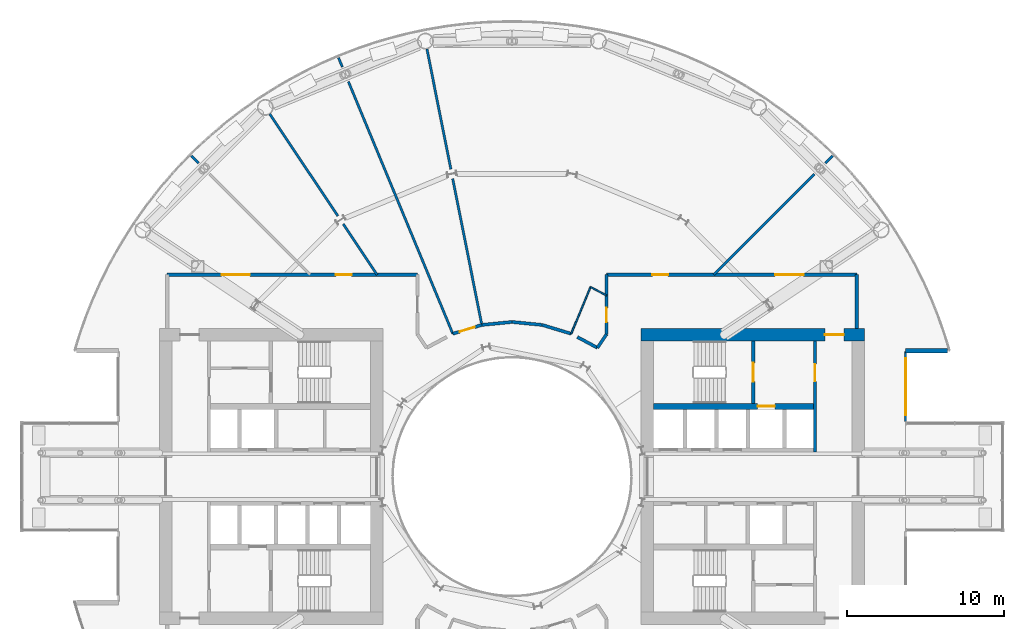
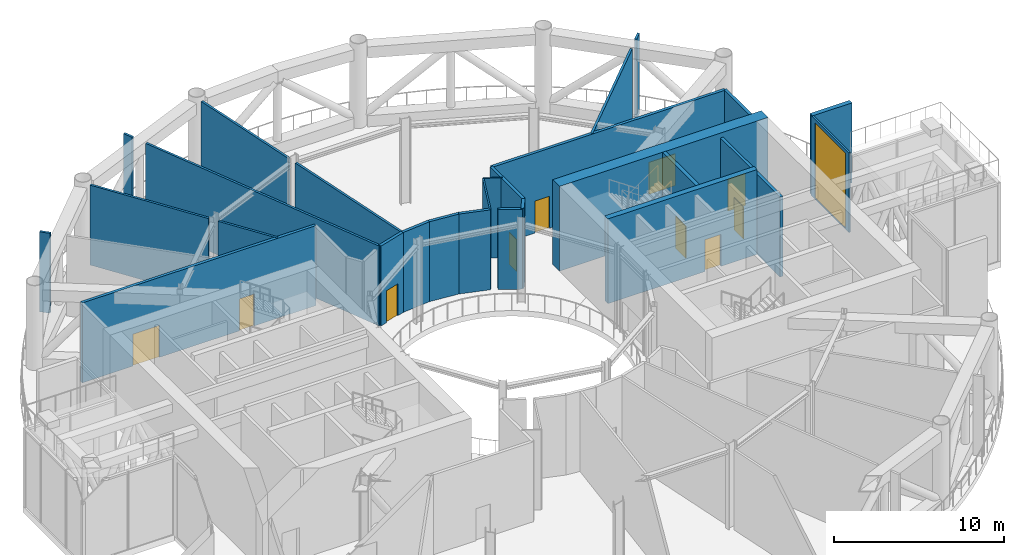
# One storey, part 13 of 22: 27 walls, 10 doors, 1 window, 11 openings.
"""IFC4 building model written with IfcOpenShell, lengths in metres."""

from ifc_helpers import new_model, si_unit, direction, frame, frame_2d, origin, place, context, subcontext, project, spatial, rectangle, extrude, material, layer, layer_set, type_object, element, fill, save


model = new_model("IFC4")

# Units and contexts
model_context = context("Model", 3, precision=1e-05, world=origin(), true_north=direction((0.0, 1.0)))
body_context = subcontext(model_context, "Body", "Model", "MODEL_VIEW")
ifc_project = project(units=[si_unit("LENGTHUNIT", "METRE"), si_unit("AREAUNIT", "SQUARE_METRE"), si_unit("VOLUMEUNIT", "CUBIC_METRE"), si_unit("PLANEANGLEUNIT", "RADIAN"), si_unit("MASSUNIT", "GRAM", prefix="KILO")], contexts=[model_context])

# Site, building, storey
site_placement = place(None, origin())
site = spatial("IfcSite", under=ifc_project, at=site_placement, CompositionType="ELEMENT")
building_placement = place(site_placement, origin())
building = spatial("IfcBuilding", under=site, at=building_placement, Name="Maasbend Ring Residences", CompositionType="ELEMENT")
storey_placement = place(building_placement, frame((0.0, 0.0, 57.5)))
storey = spatial("IfcBuildingStorey", under=building, at=storey_placement, Name="L16", CompositionType="ELEMENT", Elevation=57.5)

# Wall, opening, door
ifc_material_1 = material(Name="Concrete C70/85", Category="concrete")
ifc_layer_1 = layer(ifc_material_1, 0.25)
ifc_layer_set_1 = layer_set([ifc_layer_1], Name="Concrete C70/85")
wall_type_1 = type_object("IfcWallType", Name="CORE WALL 250 C70/85", PredefinedType="SHEAR", material=ifc_layer_set_1)
wall_1_placement = place(storey_placement, frame((15.324951171875, 4.64990234375, 0.0), z_axis=(0.0, 0.0, 1.0), x_axis=(0.0, 1.0, 0.0)))
wall_1 = element("IfcWall", 1, at=wall_1_placement, inside=storey, type_object=wall_type_1, Name="L16 core E wall STEN", PredefinedType="SHEAR", context=body_context, shape_type="SweptSolid", body=[
    extrude(rectangle(XDim=3.9501953125, YDim=0.25, at=frame_2d((1.97509765625, 0.0))), origin(), (0.0, 0.0, 1.0), 6.10009765625),
])
opening_1_placement = place(wall_1_placement, frame((1.375, 0.0, 0.0)))
opening_1 = element("IfcOpeningElement", 2, at=opening_1_placement, cuts=wall_1, Name="Opening D-E1610", PredefinedType="OPENING", context=body_context, shape_type="SweptSolid", body=[
    extrude(rectangle(XDim=1.199951171875, YDim=2.300048828125, at=frame_2d((0.60009765625, 1.14990234375))), frame((0.0, 0.135009765625, 0.0), z_axis=(0.0, -1.0, 0.0), x_axis=(1.0, 0.0, 0.0)), (0.0, 0.0, 1.0), 0.27001953125),
])
ifc_material_2 = material(Name="Steel, powder coated", Category="steel")
door_type_1 = type_object("IfcDoorType", Name="STAIR DOOR 1200 X 2300 FD60", OperationType="NOTDEFINED", PredefinedType="DOOR", material=ifc_material_2)
door_1_placement = place(opening_1_placement, origin())
door_1 = element("IfcDoor", 3, at=door_1_placement, inside=storey, type_object=door_type_1, Name="Stair door ST-E L16", OperationType="SINGLE_SWING_LEFT", OverallHeight=2.300048828125, OverallWidth=1.199951171875, PredefinedType="DOOR", context=body_context, shape_type="SweptSolid", body=[
    extrude(rectangle(XDim=1.199951171875, YDim=2.300048828125, at=frame_2d((0.60009765625, 1.14990234375))), frame((0.0, 0.02490234375, 0.0), z_axis=(0.0, -1.0, 0.0), x_axis=(1.0, 0.0, 0.0)), (0.0, 0.0, 1.0), 0.050048828125),
])
fill(opening_1, door_1)

ifc_material_3 = material(Name="Concrete C70/85", Category="concrete")
ifc_layer_2 = layer(ifc_material_3, 0.375)
ifc_layer_set_2 = layer_set([ifc_layer_2], Name="Concrete C70/85")
wall_type_2 = type_object("IfcWallType", Name="CORE WALL 375 C70/85", PredefinedType="SHEAR", material=ifc_layer_set_2)
wall_2_placement = place(storey_placement, frame((9.0, 4.46240234375, 0.0), z_axis=(0.0, 0.0, 1.0), x_axis=(1.0, 0.0, 0.0)))
wall_2 = element("IfcWall", 4, at=wall_2_placement, inside=storey, type_object=wall_type_2, Name="L16 core E wall BN", PredefinedType="SHEAR", context=body_context, shape_type="SweptSolid", body=[
    extrude(rectangle(XDim=10.14990234375, YDim=0.375, at=frame_2d((5.074951171875, 0.0))), origin(), (0.0, 0.0, 1.0), 6.10009765625),
])
opening_2_placement = place(wall_2_placement, frame((6.60009765625, 0.0, 0.0)))
opening_2 = element("IfcOpeningElement", 5, at=opening_2_placement, cuts=wall_2, Name="Opening LD-E1604", PredefinedType="OPENING", context=body_context, shape_type="SweptSolid", body=[
    extrude(rectangle(XDim=1.10009765625, YDim=2.300048828125, at=frame_2d((0.550048828125, 1.14990234375))), frame((0.0, 0.197509765625, 0.0), z_axis=(0.0, -1.0, 0.0), x_axis=(1.0, 0.0, 0.0)), (0.0, 0.0, 1.0), 0.39501953125),
])
ifc_material_4 = material(Name="Stainless steel 316", Category="steel")
door_type_2 = type_object("IfcDoorType", Name="LANDING DOOR 1100 X 2300 FD60", OperationType="DOUBLE_DOOR_SLIDING", PredefinedType="DOOR", material=ifc_material_4)
door_2_placement = place(opening_2_placement, origin())
door_2 = element("IfcDoor", 6, at=door_2_placement, inside=storey, type_object=door_type_2, Name="Landing door FF-E L16", OperationType="DOUBLE_DOOR_SLIDING", OverallHeight=2.300048828125, OverallWidth=1.10009765625, PredefinedType="DOOR", context=body_context, shape_type="SweptSolid", body=[
    extrude(rectangle(XDim=1.10009765625, YDim=2.300048828125, at=frame_2d((0.550048828125, 1.14990234375))), frame((0.0, 0.02490234375, 0.0), z_axis=(0.0, -1.0, 0.0), x_axis=(1.0, 0.0, 0.0)), (0.0, 0.0, 1.0), 0.050048828125),
])
fill(opening_2, door_2)

ifc_material_5 = material(Name="Concrete C70/85", Category="concrete")
ifc_layer_3 = layer(ifc_material_5, 0.800048828125)
ifc_layer_set_3 = layer_set([ifc_layer_3], Name="Concrete C70/85")
wall_type_3 = type_object("IfcWallType", Name="CORE WALL 800 C70/85", PredefinedType="SHEAR", material=ifc_layer_set_3)
wall_3_placement = place(storey_placement, frame((22.39990234375, 9.0, 0.0), z_axis=(0.0, 0.0, 1.0), x_axis=(-1.0, 0.0, 0.0)))
wall_3 = element("IfcWall", 7, at=wall_3_placement, inside=storey, type_object=wall_type_3, Name="L16 core E wall PN", PredefinedType="SHEAR", context=body_context, shape_type="SweptSolid", body=[
    extrude(rectangle(XDim=14.199951171875, YDim=0.800048828125, at=frame_2d((7.10009765625, 0.0))), origin(), (0.0, 0.0, 1.0), 6.10009765625),
])
opening_3_placement = place(wall_3_placement, frame((1.324951171875, 0.0, 0.0)))
opening_3 = element("IfcOpeningElement", 8, at=opening_3_placement, cuts=wall_3, Name="Opening D-E1614", PredefinedType="OPENING", context=body_context, shape_type="SweptSolid", body=[
    extrude(rectangle(XDim=1.199951171875, YDim=2.300048828125, at=frame_2d((0.60009765625, 1.14990234375))), frame((0.0, 0.41015625, 0.0), z_axis=(0.0, -1.0, 0.0), x_axis=(1.0, 0.0, 0.0)), (0.0, 0.0, 1.0), 0.820068359375),
])
ifc_material_6 = material(Name="Steel, powder coated", Category="steel")
door_type_3 = type_object("IfcDoorType", Name="CORRIDOR DOOR 1200 X 2300 FD30S", OperationType="NOTDEFINED", PredefinedType="DOOR", material=ifc_material_6)
door_3_placement = place(opening_3_placement, origin())
door_3 = element("IfcDoor", 9, at=door_3_placement, inside=storey, type_object=door_type_3, Name="Corridor door L16", OperationType="SINGLE_SWING_RIGHT", OverallHeight=2.300048828125, OverallWidth=1.199951171875, PredefinedType="DOOR", context=body_context, shape_type="SweptSolid", body=[
    extrude(rectangle(XDim=1.199951171875, YDim=2.300048828125, at=frame_2d((0.60009765625, 1.14990234375))), frame((0.0, 0.02490234375, 0.0), z_axis=(0.0, -1.0, 0.0), x_axis=(1.0, 0.0, 0.0)), (0.0, 0.0, 1.0), 0.050048828125),
])
fill(opening_3, door_3)

# Wall
ifc_material_7 = material(Name="Concrete C30/37", Category="concrete")
ifc_layer_4 = layer(ifc_material_7, 0.199951171875)
ifc_layer_set_4 = layer_set([ifc_layer_4], Name="Concrete C30/37")
wall_type_4 = type_object("IfcWallType", Name="CORRIDOR WALL 200 CONCRETE", PredefinedType="PARTITIONING", material=ifc_layer_set_4)
wall_4_placement = place(storey_placement, frame((21.89990234375, 9.419921875, 0.0), z_axis=(0.0, 0.0, 1.0), x_axis=(0.0, 1.0, 0.0)))
element("IfcWall", 10, at=wall_4_placement, inside=storey, type_object=wall_type_4, Name="U-L16-w002", PredefinedType="PARTITIONING", context=body_context, shape_type="SweptSolid", body=[
    extrude(rectangle(XDim=3.400146484375, YDim=0.199951171875, at=frame_2d((1.7001953125, 0.0))), origin(), (0.0, 0.0, 1.0), 5.75),
])

# Wall, opening, door
wall_5_placement = place(storey_placement, frame((6.0, 9.033935546875, 0.0), z_axis=(0.0, 0.0, 1.0), x_axis=(0.0, 1.0, 0.0)))
wall_5 = element("IfcWall", 11, at=wall_5_placement, inside=storey, type_object=wall_type_4, Name="U-L16-w013", PredefinedType="PARTITIONING", context=body_context, shape_type="SweptSolid", body=[
    extrude(rectangle(XDim=3.7861328125, YDim=0.199951171875, at=frame_2d((1.89306640625, 0.0))), origin(), (0.0, 0.0, 1.0), 5.75),
])
opening_4_placement = place(wall_5_placement, frame((0.783935546875, 0.0, 0.0)))
opening_4 = element("IfcOpeningElement", 12, at=opening_4_placement, cuts=wall_5, Name="Opening D-1601", PredefinedType="OPENING", context=body_context, shape_type="SweptSolid", body=[
    extrude(rectangle(XDim=0.89990234375, YDim=2.300048828125, at=frame_2d((0.449951171875, 1.14990234375))), frame((0.0, 0.10986328125, 0.0), z_axis=(0.0, -1.0, 0.0), x_axis=(1.0, 0.0, 0.0)), (0.0, 0.0, 1.0), 0.219970703125),
])
ifc_material_8 = material(Name="Timber, painted", Category="wood")
door_type_4 = type_object("IfcDoorType", Name="INTERNAL DOOR 900 X 2300", OperationType="NOTDEFINED", PredefinedType="DOOR", material=ifc_material_8)
door_4_placement = place(opening_4_placement, origin())
door_4 = element("IfcDoor", 13, at=door_4_placement, inside=storey, type_object=door_type_4, Name="D-1601", OperationType="SINGLE_SWING_LEFT", OverallHeight=2.300048828125, OverallWidth=0.89990234375, PredefinedType="DOOR", context=body_context, shape_type="SweptSolid", body=[
    extrude(rectangle(XDim=0.89990234375, YDim=2.300048828125, at=frame_2d((0.449951171875, 1.14990234375))), frame((0.0, 0.02490234375, 0.0), z_axis=(0.0, -1.0, 0.0), x_axis=(1.0, 0.0, 0.0)), (0.0, 0.0, 1.0), 0.050048828125),
])
fill(opening_4, door_4)

# Wall
wall_6_placement = place(storey_placement, frame((5.428955078125, 8.178955078125, 0.0), z_axis=(0.0, 0.0, 1.0), x_axis=(0.555412364489, 0.831575075007, 0.0)))
element("IfcWall", 14, at=wall_6_placement, inside=storey, type_object=wall_type_4, Name="U-L16-w040", PredefinedType="PARTITIONING", context=body_context, shape_type="SweptSolid", body=[
    extrude(rectangle(XDim=1.028076171875, YDim=0.199951171875, at=frame_2d((0.51416015625, 0.0))), origin(), (0.0, 0.0, 1.0), 5.75),
])

# Wall, opening, door
wall_7_placement = place(storey_placement, frame((-3.758056640625, 9.072021484375, 0.0), z_axis=(0.0, 0.0, 1.0), x_axis=(0.956896312675, 0.29042976223, 0.0)))
wall_7 = element("IfcWall", 15, at=wall_7_placement, inside=storey, type_object=wall_type_4, Name="U-L16-w044", PredefinedType="PARTITIONING", context=body_context, shape_type="SweptSolid", body=[
    extrude(rectangle(XDim=1.925048828125, YDim=0.199951171875, at=frame_2d((0.96240234375, 0.0))), origin(), (0.0, 0.0, 1.0), 5.75),
])
opening_5_placement = place(wall_7_placement, frame((0.4619140625, 0.0, 0.0)))
opening_5 = element("IfcOpeningElement", 16, at=opening_5_placement, cuts=wall_7, Name="Opening D-1603", PredefinedType="OPENING", context=body_context, shape_type="SweptSolid", body=[
    extrude(rectangle(XDim=1.0, YDim=2.300048828125, at=frame_2d((0.5, 1.14990234375))), frame((0.0, 0.10986328125, 0.0), z_axis=(0.0, -1.0, 0.0), x_axis=(1.0, 0.0, 0.0)), (0.0, 0.0, 1.0), 0.219970703125),
])
ifc_material_9 = material(Name="Timber, painted", Category="wood")
door_type_5 = type_object("IfcDoorType", Name="ROOM DOOR 1000 X 2300", OperationType="NOTDEFINED", PredefinedType="DOOR", material=ifc_material_9)
door_5_placement = place(opening_5_placement, origin())
door_5 = element("IfcDoor", 17, at=door_5_placement, inside=storey, type_object=door_type_5, Name="D-1603", OperationType="SINGLE_SWING_RIGHT", OverallHeight=2.300048828125, OverallWidth=1.0, PredefinedType="DOOR", context=body_context, shape_type="SweptSolid", body=[
    extrude(rectangle(XDim=1.0, YDim=2.300048828125, at=frame_2d((0.5, 1.14990234375))), frame((0.0, 0.02490234375, 0.0), z_axis=(0.0, -1.0, 0.0), x_axis=(1.0, 0.0, 0.0)), (0.0, 0.0, 1.0), 0.050048828125),
])
fill(opening_5, door_5)

# Walls
for number, where, z_axis, x_axis, name in (
    (18, (-1.916015625, 9.631103515625, 0.0), (0.0, 0.0, 1.0), (0.995171860647, 0.098147683504, 0.0), "U-L16-w045"),
    (19, (0.0, 9.820068359375, 0.0), (0.0, 0.0, 1.0), (0.995171860647, -0.098147683504, 0.0), "U-L16-w046"),
):
    element("IfcWall", number, at=place(storey_placement, frame(where, z_axis=z_axis, x_axis=x_axis)), inside=storey, type_object=wall_type_4, Name=name, PredefinedType="PARTITIONING", context=body_context, shape_type="SweptSolid", body=[
        extrude(rectangle(XDim=1.92529296875, YDim=0.199951171875, at=frame_2d((0.962646484375, 0.0))), origin(), (0.0, 0.0, 1.0), 5.75),
    ])
wall_8_placement = place(storey_placement, frame((1.916015625, 9.631103515625, 0.0), z_axis=(0.0, 0.0, 1.0), x_axis=(0.956896312675, -0.29042976223, 0.0)))
element("IfcWall", 20, at=wall_8_placement, inside=storey, type_object=wall_type_4, Name="U-L16-w047", PredefinedType="PARTITIONING", context=body_context, shape_type="SweptSolid", body=[
    extrude(rectangle(XDim=1.925048828125, YDim=0.199951171875, at=frame_2d((0.96240234375, 0.0))), origin(), (0.0, 0.0, 1.0), 5.75),
])
wall_9_placement = place(storey_placement, frame((4.15087890625, 8.863037109375, 0.0), z_axis=(0.0, 0.0, 1.0), x_axis=(0.881652665802, -0.471898905364, 0.0)))
element("IfcWall", 21, at=wall_9_placement, inside=storey, type_object=wall_type_4, Name="U-L16-w048", PredefinedType="PARTITIONING", context=body_context, shape_type="SweptSolid", body=[
    extrude(rectangle(XDim=1.44970703125, YDim=0.199951171875, at=frame_2d((0.724853515625, 0.0))), origin(), (0.0, 0.0, 1.0), 5.75),
])

# Wall, openings, doors
wall_10_placement = place(storey_placement, frame((-21.89990234375, 12.820068359375, 0.0), z_axis=(0.0, 0.0, 1.0), x_axis=(1.0, 0.0, 0.0)))
wall_10 = element("IfcWall", 22, at=wall_10_placement, inside=storey, type_object=wall_type_4, Name="U-L16-w049", PredefinedType="PARTITIONING", context=body_context, shape_type="SweptSolid", body=[
    extrude(rectangle(XDim=15.89990234375, YDim=0.199951171875, at=frame_2d((7.949951171875, 0.0))), origin(), (0.0, 0.0, 1.0), 5.75),
])
opening_6_placement = place(wall_10_placement, frame((10.70703125, 0.0, 0.0)))
opening_6 = element("IfcOpeningElement", 23, at=opening_6_placement, cuts=wall_10, Name="Opening D-1605", PredefinedType="OPENING", context=body_context, shape_type="SweptSolid", body=[
    extrude(rectangle(XDim=1.0, YDim=2.300048828125, at=frame_2d((0.5, 1.14990234375))), frame((0.0, 0.10986328125, 0.0), z_axis=(0.0, -1.0, 0.0), x_axis=(1.0, 0.0, 0.0)), (0.0, 0.0, 1.0), 0.219970703125),
])
opening_7_placement = place(wall_10_placement, frame((3.449951171875, 0.0, 0.0)))
opening_7 = element("IfcOpeningElement", 24, at=opening_7_placement, cuts=wall_10, Name="Opening D-1612", PredefinedType="OPENING", context=body_context, shape_type="SweptSolid", body=[
    extrude(rectangle(XDim=1.800048828125, YDim=2.300048828125, at=frame_2d((0.89990234375, 1.14990234375))), frame((0.0, 0.10986328125, 0.0), z_axis=(0.0, -1.0, 0.0), x_axis=(1.0, 0.0, 0.0)), (0.0, 0.0, 1.0), 0.219970703125),
])
ifc_material_10 = material(Name="Timber, painted", Category="wood")
door_type_6 = type_object("IfcDoorType", Name="DOUBLE DOOR 1800 X 2300", OperationType="NOTDEFINED", PredefinedType="DOOR", material=ifc_material_10)
door_6_placement = place(opening_7_placement, origin())
door_6 = element("IfcDoor", 25, at=door_6_placement, inside=storey, type_object=door_type_6, Name="D-1612", OperationType="DOUBLE_DOOR_SINGLE_SWING", OverallHeight=2.300048828125, OverallWidth=1.800048828125, PredefinedType="DOOR", context=body_context, shape_type="SweptSolid", body=[
    extrude(rectangle(XDim=1.800048828125, YDim=2.300048828125, at=frame_2d((0.89990234375, 1.14990234375))), frame((0.0, 0.02490234375, 0.0), z_axis=(0.0, -1.0, 0.0), x_axis=(1.0, 0.0, 0.0)), (0.0, 0.0, 1.0), 0.050048828125),
])
fill(opening_7, door_6)
door_7_placement = place(opening_6_placement, origin())
door_7 = element("IfcDoor", 26, at=door_7_placement, inside=storey, type_object=door_type_5, Name="D-1605", OperationType="SINGLE_SWING_RIGHT", OverallHeight=2.300048828125, OverallWidth=1.0, PredefinedType="DOOR", context=body_context, shape_type="SweptSolid", body=[
    extrude(rectangle(XDim=1.0, YDim=2.300048828125, at=frame_2d((0.5, 1.14990234375))), frame((0.0, 0.02490234375, 0.0), z_axis=(0.0, -1.0, 0.0), x_axis=(1.0, 0.0, 0.0)), (0.0, 0.0, 1.0), 0.050048828125),
])
fill(opening_6, door_7)

wall_11_placement = place(storey_placement, frame((6.0, 12.820068359375, 0.0), z_axis=(0.0, 0.0, 1.0), x_axis=(1.0, 0.0, 0.0)))
wall_11 = element("IfcWall", 27, at=wall_11_placement, inside=storey, type_object=wall_type_4, Name="U-L16-w050", PredefinedType="PARTITIONING", context=body_context, shape_type="SweptSolid", body=[
    extrude(rectangle(XDim=15.89990234375, YDim=0.199951171875, at=frame_2d((7.949951171875, 0.0))), origin(), (0.0, 0.0, 1.0), 5.75),
])
opening_8_placement = place(wall_11_placement, frame((2.909912109375, 0.0, 0.0)))
opening_8 = element("IfcOpeningElement", 28, at=opening_8_placement, cuts=wall_11, Name="Opening D-1602", PredefinedType="OPENING", context=body_context, shape_type="SweptSolid", body=[
    extrude(rectangle(XDim=1.0, YDim=2.300048828125, at=frame_2d((0.5, 1.14990234375))), frame((0.0, 0.10986328125, 0.0), z_axis=(0.0, -1.0, 0.0), x_axis=(1.0, 0.0, 0.0)), (0.0, 0.0, 1.0), 0.219970703125),
])
opening_9_placement = place(wall_11_placement, frame((10.719970703125, 0.0, 0.0)))
opening_9 = element("IfcOpeningElement", 29, at=opening_9_placement, cuts=wall_11, Name="Opening D-1611", PredefinedType="OPENING", context=body_context, shape_type="SweptSolid", body=[
    extrude(rectangle(XDim=1.800048828125, YDim=2.300048828125, at=frame_2d((0.89990234375, 1.14990234375))), frame((0.0, 0.10986328125, 0.0), z_axis=(0.0, -1.0, 0.0), x_axis=(1.0, 0.0, 0.0)), (0.0, 0.0, 1.0), 0.219970703125),
])
door_8_placement = place(opening_9_placement, origin())
door_8 = element("IfcDoor", 30, at=door_8_placement, inside=storey, type_object=door_type_6, Name="D-1611", OperationType="DOUBLE_DOOR_SINGLE_SWING", OverallHeight=2.300048828125, OverallWidth=1.800048828125, PredefinedType="DOOR", context=body_context, shape_type="SweptSolid", body=[
    extrude(rectangle(XDim=1.800048828125, YDim=2.300048828125, at=frame_2d((0.89990234375, 1.14990234375))), frame((0.0, 0.02490234375, 0.0), z_axis=(0.0, -1.0, 0.0), x_axis=(1.0, 0.0, 0.0)), (0.0, 0.0, 1.0), 0.050048828125),
])
fill(opening_9, door_8)
door_9_placement = place(opening_8_placement, origin())
door_9 = element("IfcDoor", 31, at=door_9_placement, inside=storey, type_object=door_type_5, Name="D-1602", OperationType="SINGLE_SWING_LEFT", OverallHeight=2.300048828125, OverallWidth=1.0, PredefinedType="DOOR", context=body_context, shape_type="SweptSolid", body=[
    extrude(rectangle(XDim=1.0, YDim=2.300048828125, at=frame_2d((0.5, 1.14990234375))), frame((0.0, 0.02490234375, 0.0), z_axis=(0.0, -1.0, 0.0), x_axis=(1.0, 0.0, 0.0)), (0.0, 0.0, 1.0), 0.050048828125),
])
fill(opening_8, door_9)

# Wall
ifc_material_11 = material(Name="Aluminium clad insulated panel", Category="aluminium")
ifc_layer_5 = layer(ifc_material_11, 0.300048828125)
ifc_layer_set_5 = layer_set([ifc_layer_5], Name="EW-RET")
wall_type_5 = type_object("IfcWallType", Name="EW-RET", PredefinedType="SOLIDWALL", material=ifc_layer_set_5)
wall_12_placement = place(storey_placement, frame((25.0, 8.0, 0.0), z_axis=(0.0, 0.0, 1.0), x_axis=(1.0, 0.0, 0.0)))
element("IfcWall", 32, at=wall_12_placement, inside=storey, type_object=wall_type_5, Name="Notch return wall east north", PredefinedType="SOLIDWALL", context=body_context, shape_type="SweptSolid", body=[
    extrude(rectangle(XDim=2.6669921875, YDim=0.300048828125, at=frame_2d((1.33349609375, 0.0))), origin(), (0.0, 0.0, 1.0), 5.75),
])

# Wall, opening, window
ifc_material_12 = material(Name="Aluminium frame and clear glass", Category="aluminium")
ifc_layer_6 = layer(ifc_material_12, 0.1201171875)
ifc_layer_set_6 = layer_set([ifc_layer_6], Name="GLAZED SCREEN WALL 120 EI 60")
wall_type_6 = type_object("IfcWallType", Name="GLAZED SCREEN WALL 120 EI 60", PredefinedType="PARTITIONING", material=ifc_layer_set_6)
wall_13_placement = place(storey_placement, frame((25.0, 3.5, 0.0), z_axis=(0.0, 0.0, 1.0), x_axis=(0.0, 1.0, 0.0)))
wall_13 = element("IfcWall", 33, at=wall_13_placement, inside=storey, type_object=wall_type_6, Name="L16 core E wall FACEB", PredefinedType="PARTITIONING", context=body_context, shape_type="SweptSolid", body=[
    extrude(rectangle(XDim=4.449951171875, YDim=0.1201171875, at=frame_2d((2.22509765625, 0.0))), origin(), (0.0, 0.0, 1.0), 5.75),
])
opening_10_placement = place(wall_13_placement, frame((0.39990234375, 0.0, 0.10009765625)))
opening_10 = element("IfcOpeningElement", 34, at=opening_10_placement, cuts=wall_13, Name="Opening W-E1603", PredefinedType="OPENING", context=body_context, shape_type="SweptSolid", body=[
    extrude(rectangle(XDim=3.60009765625, YDim=5.39990234375, at=frame_2d((1.800048828125, 2.699951171875))), frame((0.0, 0.070068359375, 0.0), z_axis=(0.0, -1.0, 0.0), x_axis=(1.0, 0.0, 0.0)), (0.0, 0.0, 1.0), 0.14013671875),
])
ifc_material_13 = material(Name="Aluminium frame and clear glass", Category="aluminium")
window_type = type_object("IfcWindowType", Name="FIXED WINDOW 3600 X 5400", PartitioningType="SINGLE_PANEL", PredefinedType="WINDOW", material=ifc_material_13)
window_placement = place(opening_10_placement, origin())
window = element("IfcWindow", 35, at=window_placement, inside=storey, type_object=window_type, Name="Lobby window L16", OverallHeight=5.39990234375, OverallWidth=3.60009765625, PartitioningType="SINGLE_PANEL", PredefinedType="WINDOW", context=body_context, shape_type="SweptSolid", body=[
    extrude(rectangle(XDim=3.60009765625, YDim=5.39990234375, at=frame_2d((1.800048828125, 2.699951171875))), frame((0.0, 0.030029296875, 0.0), z_axis=(0.0, -1.0, 0.0), x_axis=(1.0, 0.0, 0.0)), (0.0, 0.0, 1.0), 0.06005859375),
])
fill(opening_10, window)

# Walls
ifc_material_14 = material(Name="Gypsum board on steel studs", Category="steel")
ifc_layer_7 = layer(ifc_material_14, 0.10009765625)
ifc_layer_set_7 = layer_set([ifc_layer_7], Name="PARTITION 100 GYPSUM")
wall_type_7 = type_object("IfcWallType", Name="PARTITION 100 GYPSUM", PredefinedType="PARTITIONING", material=ifc_layer_set_7)
wall_14_placement = place(storey_placement, frame((3.758056640625, 9.072021484375, 0.0), z_axis=(0.0, 0.0, 1.0), x_axis=(0.382517205945, 0.923948368231, 0.0)))
element("IfcWall", 36, at=wall_14_placement, inside=storey, type_object=wall_type_7, Name="U-L16-w030", PredefinedType="PARTITIONING", context=body_context, shape_type="SweptSolid", body=[
    extrude(rectangle(XDim=3.215576171875, YDim=0.10009765625, at=frame_2d((1.60791015625, 0.0))), origin(), (0.0, 0.0, 1.0), 5.75),
])
wall_15_placement = place(storey_placement, frame((4.988037109375, 12.04296875, 0.0), z_axis=(0.0, 0.0, 1.0), x_axis=(0.882235076446, -0.470809165042, 0.0)))
element("IfcWall", 37, at=wall_15_placement, inside=storey, type_object=wall_type_7, Name="U-L16-w051", PredefinedType="PARTITIONING", context=body_context, shape_type="SweptSolid", body=[
    extrude(rectangle(XDim=1.14697265625, YDim=0.10009765625, at=frame_2d((0.573486328125, 0.0))), origin(), (0.0, 0.0, 1.0), 5.75),
])
ifc_material_15 = material(Name="Gypsum board on steel studs", Category="steel")
ifc_layer_8 = layer(ifc_material_15, 0.14990234375)
ifc_layer_set_8 = layer_set([ifc_layer_8], Name="PARTITION 150 GYPSUM")
wall_type_8 = type_object("IfcWallType", Name="PARTITION 150 GYPSUM", PredefinedType="PARTITIONING", material=ifc_layer_set_8)
wall_16_placement = place(storey_placement, frame((-20.364990234375, 20.364990234375, 0.0), z_axis=(0.0, 0.0, 1.0), x_axis=(0.707106781187, -0.707106781187, 0.0)))
element("IfcWall", 38, at=wall_16_placement, inside=storey, type_object=wall_type_8, Name="U-L16-w017", PredefinedType="PARTITIONING", context=body_context, shape_type="SweptSolid", body=[
    extrude(rectangle(XDim=0.64208984375, YDim=0.14990234375, at=frame_2d((0.321044921875, 0.0))), origin(), (0.0, 0.0, 1.0), 5.75),
])
wall_17_placement = place(storey_placement, frame((-15.389892578125, 23.032958984375, 0.0), z_axis=(0.0, 0.0, 1.0), x_axis=(0.555603767829, -0.831447204081, 0.0)))
element("IfcWall", 39, at=wall_17_placement, inside=storey, type_object=wall_type_8, Name="U-L16-w020", PredefinedType="PARTITIONING", context=body_context, shape_type="SweptSolid", body=[
    extrude(rectangle(XDim=7.791259765625, YDim=0.14990234375, at=frame_2d((3.8955078125, 0.0))), origin(), (0.0, 0.0, 1.0), 5.75),
])
wall_18_placement = place(storey_placement, frame((-11.02099609375, 26.60791015625, 0.0), z_axis=(0.0, 0.0, 1.0), x_axis=(0.38199330966, -0.92416508881, 0.0)))
element("IfcWall", 40, at=wall_18_placement, inside=storey, type_object=wall_type_8, Name="U-L16-w021", PredefinedType="PARTITIONING", context=body_context, shape_type="SweptSolid", body=[
    extrude(rectangle(XDim=0.6416015625, YDim=0.14990234375, at=frame_2d((0.32080078125, 0.0))), origin(), (0.0, 0.0, 1.0), 5.75),
])
wall_19_placement = place(storey_placement, frame((-10.717041015625, 16.0390625, 0.0), z_axis=(0.0, 0.0, 1.0), x_axis=(0.55561664662, -0.831438597853, 0.0)))
element("IfcWall", 41, at=wall_19_placement, inside=storey, type_object=wall_type_8, Name="U-L16-w022", PredefinedType="PARTITIONING", context=body_context, shape_type="SweptSolid", body=[
    extrude(rectangle(XDim=3.87158203125, YDim=0.14990234375, at=frame_2d((1.935791015625, 0.0))), origin(), (0.0, 0.0, 1.0), 5.75),
])
wall_20_placement = place(storey_placement, frame((-10.39306640625, 25.091064453125, 0.0), z_axis=(0.0, 0.0, 1.0), x_axis=(0.382668905709, -0.923885549516, 0.0)))
element("IfcWall", 42, at=wall_20_placement, inside=storey, type_object=wall_type_8, Name="U-L16-w023", PredefinedType="PARTITIONING", context=body_context, shape_type="SweptSolid", body=[
    extrude(rectangle(XDim=17.3388671875, YDim=0.14990234375, at=frame_2d((8.66943359375, 0.0))), origin(), (0.0, 0.0, 1.0), 5.75),
])
wall_21_placement = place(storey_placement, frame((-5.405029296875, 27.1689453125, 0.0), z_axis=(0.0, 0.0, 1.0), x_axis=(0.195085619607, -0.980786215759, 0.0)))
element("IfcWall", 43, at=wall_21_placement, inside=storey, type_object=wall_type_8, Name="U-L16-w024", PredefinedType="PARTITIONING", context=body_context, shape_type="SweptSolid", body=[
    extrude(rectangle(XDim=7.79150390625, YDim=0.14990234375, at=frame_2d((3.895751953125, 0.0))), origin(), (0.0, 0.0, 1.0), 5.75),
])
wall_22_placement = place(storey_placement, frame((-3.763916015625, 18.9189453125, 0.0), z_axis=(0.0, 0.0, 1.0), x_axis=(0.195134385789, -0.980776514545, 0.0)))
element("IfcWall", 44, at=wall_22_placement, inside=storey, type_object=wall_type_8, Name="U-L16-w026", PredefinedType="PARTITIONING", context=body_context, shape_type="SweptSolid", body=[
    extrude(rectangle(XDim=9.469970703125, YDim=0.14990234375, at=frame_2d((4.73486328125, 0.0))), origin(), (0.0, 0.0, 1.0), 5.75),
])
wall_23_placement = place(storey_placement, frame((12.820068359375, 12.820068359375, 0.0), z_axis=(0.0, 0.0, 1.0), x_axis=(0.707106781187, 0.707106781187, 0.0)))
element("IfcWall", 45, at=wall_23_placement, inside=storey, type_object=wall_type_8, Name="U-L16-w036", PredefinedType="PARTITIONING", context=body_context, shape_type="SweptSolid", body=[
    extrude(rectangle(XDim=9.0283203125, YDim=0.14990234375, at=frame_2d((4.51416015625, 0.0))), origin(), (0.0, 0.0, 1.0), 5.75),
])
wall_24_placement = place(storey_placement, frame((19.910888671875, 19.910888671875, 0.0), z_axis=(0.0, 0.0, 1.0), x_axis=(0.707106781187, 0.707106781187, 0.0)))
element("IfcWall", 46, at=wall_24_placement, inside=storey, type_object=wall_type_8, Name="U-L16-w038", PredefinedType="PARTITIONING", context=body_context, shape_type="SweptSolid", body=[
    extrude(rectangle(XDim=0.64208984375, YDim=0.14990234375, at=frame_2d((0.321044921875, 0.0))), origin(), (0.0, 0.0, 1.0), 5.75),
])

# Wall, opening, door
ifc_material_16 = material(Name="Concrete C30/37", Category="concrete")
ifc_layer_9 = layer(ifc_material_16, 0.199951171875)
ifc_layer_set_9 = layer_set([ifc_layer_9], Name="Concrete C30/37")
wall_type_9 = type_object("IfcWallType", Name="SHAFT WALL 200 EI 120", PredefinedType="SOLIDWALL", material=ifc_layer_set_9)
wall_25_placement = place(storey_placement, frame((19.25, 1.574951171875, 0.0), z_axis=(0.0, 0.0, 1.0), x_axis=(0.0, 1.0, 0.0)))
wall_25 = element("IfcWall", 47, at=wall_25_placement, inside=storey, type_object=wall_type_9, Name="L16 core E wall ENDN", PredefinedType="SOLIDWALL", context=body_context, shape_type="SweptSolid", body=[
    extrude(rectangle(XDim=7.025146484375, YDim=0.199951171875, at=frame_2d((3.5126953125, 0.0))), origin(), (0.0, 0.0, 1.0), 5.75),
])
opening_11_placement = place(wall_25_placement, frame((4.47509765625, 0.0, 0.0)))
opening_11 = element("IfcOpeningElement", 48, at=opening_11_placement, cuts=wall_25, Name="Opening D-E1612", PredefinedType="OPENING", context=body_context, shape_type="SweptSolid", body=[
    extrude(rectangle(XDim=1.10009765625, YDim=2.300048828125, at=frame_2d((0.550048828125, 1.14990234375))), frame((0.0, 0.10986328125, 0.0), z_axis=(0.0, -1.0, 0.0), x_axis=(1.0, 0.0, 0.0)), (0.0, 0.0, 1.0), 0.219970703125),
])
ifc_material_17 = material(Name="Steel, powder coated", Category="steel")
door_type_7 = type_object("IfcDoorType", Name="LOBBY DOOR 1100 X 2300 FD60", OperationType="NOTDEFINED", PredefinedType="DOOR", material=ifc_material_17)
door_10_placement = place(opening_11_placement, origin())
door_10 = element("IfcDoor", 49, at=door_10_placement, inside=storey, type_object=door_type_7, Name="Lobby door L16", OperationType="SINGLE_SWING_LEFT", OverallHeight=2.300048828125, OverallWidth=1.10009765625, PredefinedType="DOOR", context=body_context, shape_type="SweptSolid", body=[
    extrude(rectangle(XDim=1.10009765625, YDim=2.300048828125, at=frame_2d((0.550048828125, 1.14990234375))), frame((0.0, 0.02490234375, 0.0), z_axis=(0.0, -1.0, 0.0), x_axis=(1.0, 0.0, 0.0)), (0.0, 0.0, 1.0), 0.050048828125),
])
fill(opening_11, door_10)

save(model, "model.ifc")
